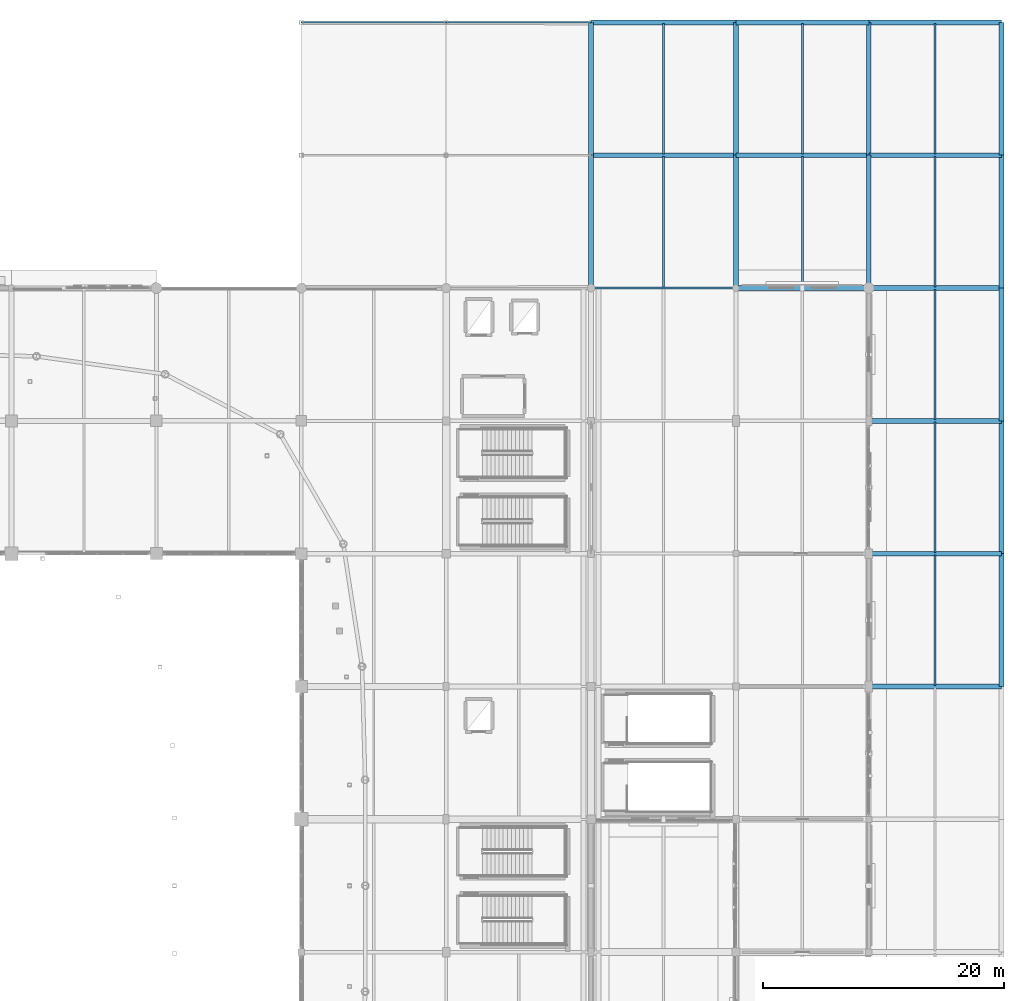
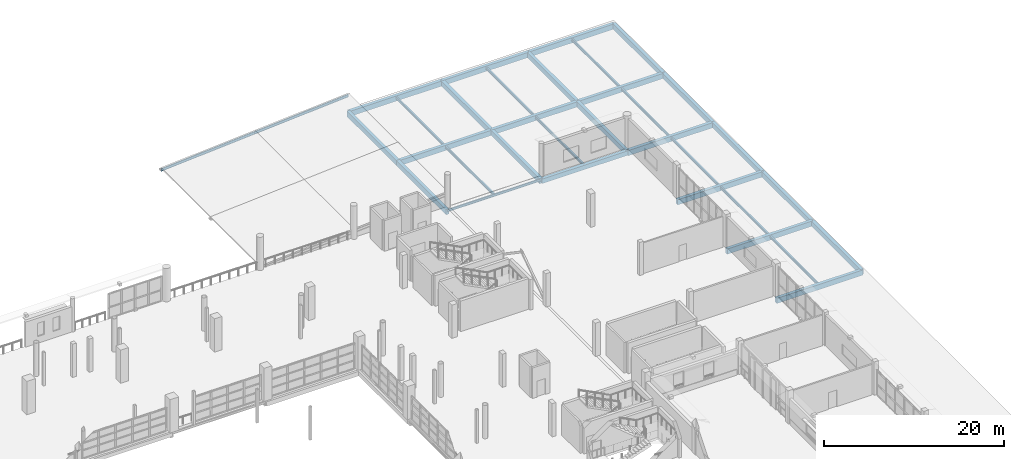
# One storey, part 64 of 118: 34 beams.
"""IFC4 building model written with IfcOpenShell, lengths in metres."""

from ifc_helpers import new_model, si_unit, direction, frame, origin, origin_2d, place, context, subcontext, project, spatial, rectangle, i_section, extrude, material, material_profile, profile_set, type_object, element, save


model = new_model("IFC4")

# Units and contexts
model_context = context("Model", 3, precision=1e-05, world=origin(), true_north=direction((0.0, 1.0)))
body_context = subcontext(model_context, "Body", "Model", "MODEL_VIEW")
ifc_project = project(units=[si_unit("LENGTHUNIT", "METRE"), si_unit("AREAUNIT", "SQUARE_METRE"), si_unit("VOLUMEUNIT", "CUBIC_METRE"), si_unit("PLANEANGLEUNIT", "RADIAN"), si_unit("MASSUNIT", "GRAM", prefix="KILO")], contexts=[model_context])

# Site, building, storey
site_placement = place(None, origin())
site = spatial("IfcSite", under=ifc_project, at=site_placement, CompositionType="ELEMENT")
building_placement = place(site_placement, origin())
building = spatial("IfcBuilding", under=site, at=building_placement, Name="Luwafu Chhajja Arena", CompositionType="ELEMENT")
storey_placement = place(building_placement, frame((0.0, 0.0, 10.199951171875)))
storey = spatial("IfcBuildingStorey", under=building, at=storey_placement, Name="L02", CompositionType="ELEMENT", Elevation=10.199951171875)

# Beams
ifc_material_1 = material(Name="Steel S355", Category="steel")
ifc_material_profile_1 = material_profile(ifc_material_1, i_section(OverallWidth=0.1259765625, OverallDepth=0.353515625, WebThickness=0.006591796875, FlangeThickness=0.0107421875, at=origin_2d()), Name="UB 356x127x39")
ifc_profile_set_1 = profile_set([ifc_material_profile_1], Name="Steel S355")
beam_type_1 = type_object("IfcBeamType", Name="Canopy Joist UB 356x127x39", PredefinedType="JOIST", material=ifc_profile_set_1)
for number, where, z_axis, x_axis, name in (
    (1, (140.0, 121.0, 0.0), (0.997500148199, 0.0, 0.070664378174), (0.0, 1.0, 0.0), "L02 Charbagh Cloister Rafter 12/11"),
    (2, (152.0, 121.0, 0.85009765625), (0.997501578488, 0.0, 0.070644185277), (0.0, 1.0, 0.0), "L02 Charbagh Cloister Rafter 13/11"),
):
    element("IfcBeam", number, at=place(storey_placement, frame(where, z_axis=z_axis, x_axis=x_axis)), inside=storey, type_object=beam_type_1, Name=name, PredefinedType="JOIST", context=body_context, shape_type="SweptSolid", body=[
        extrude(i_section(OverallWidth=0.1259765625, OverallDepth=0.353515625, WebThickness=0.006591796875, FlangeThickness=0.0107421875, at=origin_2d()), origin(), (0.0, 0.0, 1.0), 12.030029296875),
    ])
ifc_material_profile_2 = material_profile(ifc_material_1, i_section(OverallWidth=0.165771484375, OverallDepth=0.306640625, WebThickness=0.006591796875, FlangeThickness=0.01171875, at=origin_2d()), Name="UB 305x165x46")
ifc_profile_set_2 = profile_set([ifc_material_profile_2], Name="Steel S355")
beam_type_2 = type_object("IfcBeamType", Name="Concourse Edge Spandrel Beam UB 305x165x46", PredefinedType="SPANDREL", material=ifc_profile_set_2)
beam_1_placement = place(storey_placement, frame((164.0, 99.0, -0.543212890625), z_axis=(1.0, 0.0, 0.0), x_axis=(0.0, 1.0, 0.0)))
element("IfcBeam", 3, at=beam_1_placement, inside=storey, type_object=beam_type_2, Name="L02 Grid Beam 15-16/K", PredefinedType="SPANDREL", context=body_context, shape_type="SweptSolid", body=[
    extrude(i_section(OverallWidth=0.165771484375, OverallDepth=0.306640625, WebThickness=0.006591796875, FlangeThickness=0.01171875, at=origin_2d()), origin(), (0.0, 0.0, 1.0), 12.0),
])
ifc_material_2 = material(Name="Concrete C35/45", Category="concrete")
ifc_material_profile_3 = material_profile(ifc_material_2, rectangle(XDim=0.39990234375, YDim=0.60009765625, at=origin_2d()), Name="RC 400x600")
ifc_profile_set_3 = profile_set([ifc_material_profile_3], Name="Concrete C35/45")
beam_type_3 = type_object("IfcBeamType", Name="Podium Perimeter Spandrel RC 400x600", PredefinedType="SPANDREL", material=ifc_profile_set_3)
beam_2_placement = place(storey_placement, frame((176.0, 99.0, -0.68994140625), z_axis=(1.0, 0.0, 0.0), x_axis=(0.0, 1.0, 0.0)))
element("IfcBeam", 4, at=beam_2_placement, inside=storey, type_object=beam_type_3, Name="L02 Grid Beam 16-17/K", PredefinedType="SPANDREL", context=body_context, shape_type="SweptSolid", body=[
    extrude(rectangle(XDim=0.39990234375, YDim=0.60009765625, at=origin_2d()), origin(), (0.0, 0.0, 1.0), 11.0),
])
ifc_material_profile_4 = material_profile(ifc_material_2, rectangle(XDim=0.39990234375, YDim=0.699951171875, at=origin_2d()), Name="RC 400x700")
ifc_profile_set_4 = profile_set([ifc_material_profile_4], Name="Concrete C35/45")
beam_type_4 = type_object("IfcBeamType", Name="Wing Frame Beam RC 400x700", PredefinedType="BEAM", material=ifc_profile_set_4)
beam_3_placement = place(storey_placement, frame((164.0, 110.0, -0.724853515625), z_axis=(1.0, 0.0, 0.0), x_axis=(0.0, 1.0, 0.0)))
element("IfcBeam", 5, at=beam_3_placement, inside=storey, type_object=beam_type_4, Name="L02 Podium Roof Deck Beam X-14_10", PredefinedType="BEAM", context=body_context, shape_type="SweptSolid", body=[
    extrude(rectangle(XDim=0.39990234375, YDim=0.699951171875, at=origin_2d()), origin(), (0.0, 0.0, 1.0), 12.0),
])
for number, where, z_axis, x_axis, name in (
    (6, (164.0, 99.0, -0.724853515625), (0.0, 1.0, 0.0), (-1.0, 0.0, 0.0), "L02 Podium Roof Deck Beam Y-14_09"),
    (7, (176.0, 99.0, -0.724853515625), (0.0, 1.0, 0.0), (-1.0, 0.0, 0.0), "L02 Podium Roof Deck Beam Y-15_09"),
):
    element("IfcBeam", number, at=place(storey_placement, frame(where, z_axis=z_axis, x_axis=x_axis)), inside=storey, type_object=beam_type_4, Name=name, PredefinedType="BEAM", context=body_context, shape_type="SweptSolid", body=[
        extrude(rectangle(XDim=0.39990234375, YDim=0.699951171875, at=origin_2d()), origin(), (0.0, 0.0, 1.0), 11.0),
    ])
beam_4_placement = place(storey_placement, frame((164.0, 121.0, -0.724853515625), z_axis=(1.0, 0.0, 0.0), x_axis=(0.0, 1.0, 0.0)))
element("IfcBeam", 8, at=beam_4_placement, inside=storey, type_object=beam_type_4, Name="L02 Podium Roof Deck Beam X-14_11", PredefinedType="BEAM", context=body_context, shape_type="SweptSolid", body=[
    extrude(rectangle(XDim=0.39990234375, YDim=0.699951171875, at=origin_2d()), origin(), (0.0, 0.0, 1.0), 12.0),
])
for number, where, z_axis, x_axis, name in (
    (9, (164.0, 110.0, -0.724853515625), (0.0, 1.0, 0.0), (-1.0, 0.0, 0.0), "L02 Podium Roof Deck Beam Y-14_10"),
    (10, (176.0, 110.0, -0.724853515625), (0.0, 1.0, 0.0), (-1.0, 0.0, 0.0), "L02 Podium Roof Deck Beam Y-15_10"),
    (11, (176.0, 110.0, -0.724853515625), (1.0, 0.0, 0.0), (0.0, 1.0, 0.0), "L02 Podium Roof Deck Beam X-15_10"),
    (12, (187.0, 99.0, -0.724853515625), (0.0, 1.0, 0.0), (-1.0, 0.0, 0.0), "L02 Podium Roof Deck Beam Y-16_09"),
    (13, (176.0, 121.0, -0.724853515625), (1.0, 0.0, 0.0), (0.0, 1.0, 0.0), "L02 Podium Roof Deck Beam X-15_11"),
    (14, (187.0, 110.0, -0.724853515625), (0.0, 1.0, 0.0), (-1.0, 0.0, 0.0), "L02 Podium Roof Deck Beam Y-16_10"),
    (15, (187.0, 66.0, -0.724853515625), (1.0, 0.0, 0.0), (0.0, 1.0, 0.0), "L02 Podium Roof Deck Beam X-16_06"),
    (16, (187.0, 77.0, -0.724853515625), (1.0, 0.0, 0.0), (0.0, 1.0, 0.0), "L02 Podium Roof Deck Beam X-16_07"),
    (17, (198.0, 66.0, -0.724853515625), (0.0, 1.0, 0.0), (-1.0, 0.0, 0.0), "L02 Podium Roof Deck Beam Y-17_06"),
    (18, (187.0, 88.0, -0.724853515625), (1.0, 0.0, 0.0), (0.0, 1.0, 0.0), "L02 Podium Roof Deck Beam X-16_08"),
    (19, (198.0, 77.0, -0.724853515625), (0.0, 1.0, 0.0), (-1.0, 0.0, 0.0), "L02 Podium Roof Deck Beam Y-17_07"),
    (20, (187.0, 99.0, -0.724853515625), (1.0, 0.0, 0.0), (0.0, 1.0, 0.0), "L02 Podium Roof Deck Beam X-16_09"),
    (21, (198.0, 88.0, -0.724853515625), (0.0, 1.0, 0.0), (-1.0, 0.0, 0.0), "L02 Podium Roof Deck Beam Y-17_08"),
    (22, (187.0, 110.0, -0.724853515625), (1.0, 0.0, 0.0), (0.0, 1.0, 0.0), "L02 Podium Roof Deck Beam X-16_10"),
    (23, (198.0, 99.0, -0.724853515625), (0.0, 1.0, 0.0), (-1.0, 0.0, 0.0), "L02 Podium Roof Deck Beam Y-17_09"),
    (24, (187.0, 121.0, -0.724853515625), (1.0, 0.0, 0.0), (0.0, 1.0, 0.0), "L02 Podium Roof Deck Beam X-16_11"),
    (25, (198.0, 110.0, -0.724853515625), (0.0, 1.0, 0.0), (-1.0, 0.0, 0.0), "L02 Podium Roof Deck Beam Y-17_10"),
):
    element("IfcBeam", number, at=place(storey_placement, frame(where, z_axis=z_axis, x_axis=x_axis)), inside=storey, type_object=beam_type_4, Name=name, PredefinedType="BEAM", context=body_context, shape_type="SweptSolid", body=[
        extrude(rectangle(XDim=0.39990234375, YDim=0.699951171875, at=origin_2d()), origin(), (0.0, 0.0, 1.0), 11.0),
    ])
ifc_material_profile_5 = material_profile(ifc_material_1, i_section(OverallWidth=0.172119140625, OverallDepth=0.35791015625, WebThickness=0.008056640625, FlangeThickness=0.012939453125, at=origin_2d()), Name="UB 356x171x57")
ifc_profile_set_5 = profile_set([ifc_material_profile_5], Name="Steel S355")
beam_type_5 = type_object("IfcBeamType", Name="Wing Roof Purlin Joist UB 356x171x57", PredefinedType="JOIST", material=ifc_profile_set_5)
for number, where, z_axis, x_axis, name in (
    (26, (170.0, 99.10009765625, -0.554931640625), (0.0, 1.0, 0.0), (-1.0, 0.0, 0.0), "L02 Podium Roof Joist 14/9"),
    (27, (170.0, 110.10009765625, -0.554931640625), (0.0, 1.0, 0.0), (-1.0, 0.0, 0.0), "L02 Podium Roof Joist 14/10"),
    (28, (181.5, 99.10009765625, -0.554931640625), (0.0, 1.0, 0.0), (-1.0, 0.0, 0.0), "L02 Podium Roof Joist 15/9"),
    (29, (181.5, 110.10009765625, -0.554931640625), (0.0, 1.0, 0.0), (-1.0, 0.0, 0.0), "L02 Podium Roof Joist 15/10"),
    (30, (192.5, 66.10009765625, -0.554931640625), (0.0, 1.0, 0.0), (-1.0, 0.0, 0.0), "L02 Podium Roof Joist 16/6"),
    (31, (192.5, 77.10009765625, -0.554931640625), (0.0, 1.0, 0.0), (-1.0, 0.0, 0.0), "L02 Podium Roof Joist 16/7"),
    (32, (192.5, 88.10009765625, -0.554931640625), (0.0, 1.0, 0.0), (-1.0, 0.0, 0.0), "L02 Podium Roof Joist 16/8"),
    (33, (192.5, 99.10009765625, -0.554931640625), (0.0, 1.0, 0.0), (-1.0, 0.0, 0.0), "L02 Podium Roof Joist 16/9"),
    (34, (192.5, 110.10009765625, -0.554931640625), (0.0, 1.0, 0.0), (-1.0, 0.0, 0.0), "L02 Podium Roof Joist 16/10"),
):
    element("IfcBeam", number, at=place(storey_placement, frame(where, z_axis=z_axis, x_axis=x_axis)), inside=storey, type_object=beam_type_5, Name=name, PredefinedType="JOIST", context=body_context, shape_type="SweptSolid", body=[
        extrude(i_section(OverallWidth=0.172119140625, OverallDepth=0.35791015625, WebThickness=0.008056640625, FlangeThickness=0.012939453125, at=origin_2d()), origin(), (0.0, 0.0, 1.0), 10.7998046875),
    ])

save(model, "model.ifc")
